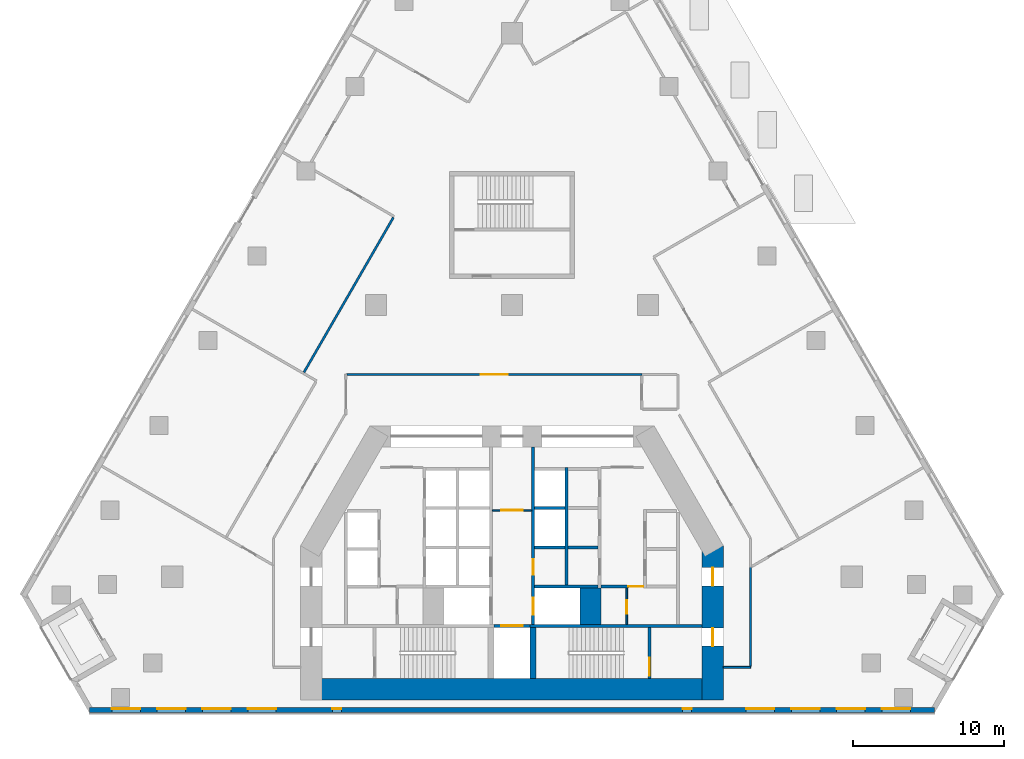
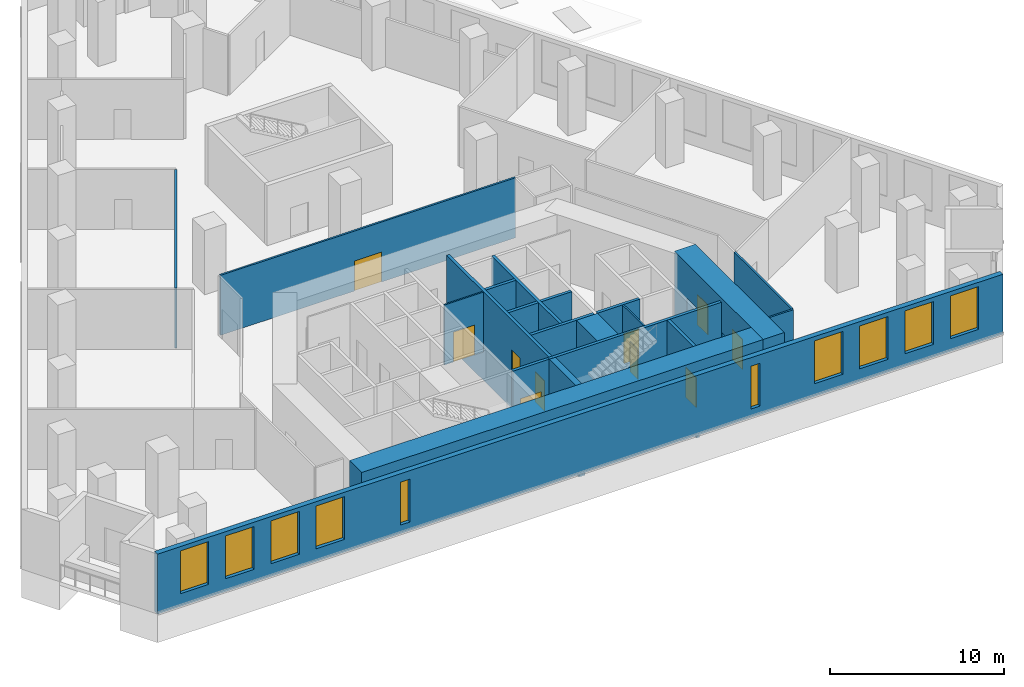
# One storey, part 4 of 13: 21 walls, 10 doors, 10 windows, 20 openings.
"""IFC4 building model written with IfcOpenShell, lengths in metres."""

from ifc_helpers import new_model, si_unit, direction, frame, frame_2d, origin, place, context, subcontext, project, spatial, rectangle, extrude, material, layer, layer_set, type_object, element, fill, save


model = new_model("IFC4")

# Units and contexts
model_context = context("Model", 3, precision=1e-05, world=origin(), true_north=direction((0.0, 1.0)))
body_context = subcontext(model_context, "Body", "Model", "MODEL_VIEW")
ifc_project = project(units=[si_unit("LENGTHUNIT", "METRE"), si_unit("AREAUNIT", "SQUARE_METRE"), si_unit("VOLUMEUNIT", "CUBIC_METRE"), si_unit("PLANEANGLEUNIT", "RADIAN"), si_unit("MASSUNIT", "GRAM", prefix="KILO")], contexts=[model_context])

# Site, building, storey
site_placement = place(None, origin())
site = spatial("IfcSite", under=ifc_project, at=site_placement, CompositionType="ELEMENT")
building_placement = place(site_placement, origin())
building = spatial("IfcBuilding", under=site, at=building_placement, Name="Fogline Exchange Tower", CompositionType="ELEMENT")
storey_placement = place(building_placement, frame((0.0, 0.0, 25.0)))
storey = spatial("IfcBuildingStorey", under=building, at=storey_placement, Name="L04", CompositionType="ELEMENT", Elevation=25.0)

# Wall, opening, door
ifc_material_1 = material(Name="Blockwork partition", Category="masonry")
ifc_layer_1 = layer(ifc_material_1, 0.10009765625)
ifc_layer_set_1 = layer_set([ifc_layer_1], Name="CW10")
wall_type_1 = type_object("IfcWallType", Name="CW10", PredefinedType="PARTITIONING", material=ifc_layer_set_1)
wall_1_placement = place(storey_placement, frame((7.60009765625, 5.85009765625, 0.0), z_axis=(0.0, 0.0, 1.0), x_axis=(0.0, 1.0, 0.0)))
wall_1 = element("IfcWall", 1, at=wall_1_placement, inside=storey, type_object=wall_type_1, Name="WC partition", PredefinedType="PARTITIONING", context=body_context, shape_type="SweptSolid", body=[
    extrude(rectangle(XDim=2.39990234375, YDim=0.10009765625, at=frame_2d((1.199951171875, 0.0))), origin(), (0.0, 0.0, 1.0), 4.199951171875),
])
opening_1_placement = place(wall_1_placement, frame((0.699951171875, 0.0, 0.0)))
opening_1 = element("IfcOpeningElement", 2, at=opening_1_placement, cuts=wall_1, Name="Opening T00-C015", PredefinedType="OPENING", context=body_context, shape_type="SweptSolid", body=[
    extrude(rectangle(XDim=0.89990234375, YDim=2.10009765625, at=frame_2d((0.449951171875, 1.050048828125))), frame((0.0, 0.06005859375, 0.0), z_axis=(0.0, -1.0, 0.0), x_axis=(1.0, 0.0, 0.0)), (0.0, 0.0, 1.0), 0.1201171875),
])
ifc_material_2 = material(Name="Steel and timber fire door", Category="steel")
door_type_1 = type_object("IfcDoorType", Name="D-CS1", OperationType="SINGLE_SWING_RIGHT", PredefinedType="DOOR", material=ifc_material_2)
door_1_placement = place(opening_1_placement, origin())
door_1 = element("IfcDoor", 3, at=door_1_placement, inside=storey, type_object=door_type_1, Name="Door to Cleaner's Store", OperationType="SINGLE_SWING_LEFT", OverallHeight=2.10009765625, OverallWidth=0.89990234375, PredefinedType="DOOR", context=body_context, shape_type="SweptSolid", body=[
    extrude(rectangle(XDim=0.89990234375, YDim=2.10009765625, at=frame_2d((0.449951171875, 1.050048828125))), frame((0.0, 0.02490234375, 0.0), z_axis=(0.0, -1.0, 0.0), x_axis=(1.0, 0.0, 0.0)), (0.0, 0.0, 1.0), 0.050048828125),
])
fill(opening_1, door_1)

wall_2_placement = place(storey_placement, frame((-1.300048828125, 13.39990234375, 0.0), z_axis=(0.0, 0.0, 1.0), x_axis=(1.0, 0.0, 0.0)))
wall_2 = element("IfcWall", 4, at=wall_2_placement, inside=storey, type_object=wall_type_1, Name="Lift lobby partition", PredefinedType="PARTITIONING", context=body_context, shape_type="SweptSolid", body=[
    extrude(rectangle(XDim=2.60009765625, YDim=0.10009765625, at=frame_2d((1.300048828125, 0.0))), origin(), (0.0, 0.0, 1.0), 4.199951171875),
])
opening_2_placement = place(wall_2_placement, frame((0.60009765625, 0.0, 0.0)))
opening_2 = element("IfcOpeningElement", 5, at=opening_2_placement, cuts=wall_2, Name="Opening T00-C019", PredefinedType="OPENING", context=body_context, shape_type="SweptSolid", body=[
    extrude(rectangle(XDim=1.39990234375, YDim=2.10009765625, at=frame_2d((0.699951171875, 1.050048828125))), frame((0.0, 0.06005859375, 0.0), z_axis=(0.0, -1.0, 0.0), x_axis=(1.0, 0.0, 0.0)), (0.0, 0.0, 1.0), 0.1201171875),
])
door_type_2 = type_object("IfcDoorType", Name="D-LB1", OperationType="DOUBLE_DOOR_SINGLE_SWING", PredefinedType="DOOR", material=ifc_material_2)
door_2_placement = place(opening_2_placement, origin())
door_2 = element("IfcDoor", 6, at=door_2_placement, inside=storey, type_object=door_type_2, Name="Door to firefighting lift lobby", OperationType="DOUBLE_DOOR_SINGLE_SWING", OverallHeight=2.10009765625, OverallWidth=1.39990234375, PredefinedType="DOOR", context=body_context, shape_type="SweptSolid", body=[
    extrude(rectangle(XDim=1.39990234375, YDim=2.10009765625, at=frame_2d((0.699951171875, 1.050048828125))), frame((0.0, 0.02490234375, 0.0), z_axis=(0.0, -1.0, 0.0), x_axis=(1.0, 0.0, 0.0)), (0.0, 0.0, 1.0), 0.050048828125),
])
fill(opening_2, door_2)

# Wall
ifc_material_3 = material(Name="Concrete C60", Category="concrete")
ifc_layer_2 = layer(ifc_material_3, 1.39990234375)
ifc_layer_set_2 = layer_set([ifc_layer_2], Name="CW140")
wall_type_2 = type_object("IfcWallType", Name="CW140", PredefinedType="SOLIDWALL", material=ifc_layer_set_2)
wall_3_placement = place(storey_placement, frame((5.199951171875, 5.85009765625, -2.0), z_axis=(0.0, 0.0, 1.0), x_axis=(0.0, 1.0, 0.0)))
element("IfcWall", 7, at=wall_3_placement, inside=storey, type_object=wall_type_2, Name="Lift shaft block wall", PredefinedType="SOLIDWALL", context=body_context, shape_type="SweptSolid", body=[
    extrude(rectangle(XDim=2.39990234375, YDim=1.39990234375, at=frame_2d((1.199951171875, 0.0))), origin(), (0.0, 0.0, 1.0), 6.199951171875),
])

# Wall, opening, door
ifc_material_4 = material(Name="Concrete C40", Category="concrete")
ifc_layer_3 = layer(ifc_material_4, 0.199951171875)
ifc_layer_set_3 = layer_set([ifc_layer_3], Name="CW20")
wall_type_3 = type_object("IfcWallType", Name="CW20", PredefinedType="SOLIDWALL", material=ifc_layer_set_3)
wall_4_placement = place(storey_placement, frame((5.89990234375, 8.35009765625, 0.0), z_axis=(0.0, 0.0, 1.0), x_axis=(1.0, 0.0, 0.0)))
wall_4 = element("IfcWall", 8, at=wall_4_placement, inside=storey, type_object=wall_type_3, Name="WC wall", PredefinedType="SOLIDWALL", context=body_context, shape_type="SweptSolid", body=[
    extrude(rectangle(XDim=2.800048828125, YDim=0.199951171875, at=frame_2d((1.39990234375, 0.0))), origin(), (0.0, 0.0, 1.0), 4.199951171875),
])
opening_3_placement = place(wall_4_placement, frame((1.800048828125, 0.0, 0.0)))
opening_3 = element("IfcOpeningElement", 9, at=opening_3_placement, cuts=wall_4, Name="Opening T00-C014", PredefinedType="OPENING", context=body_context, shape_type="SweptSolid", body=[
    extrude(rectangle(XDim=1.0, YDim=2.10009765625, at=frame_2d((0.5, 1.050048828125))), frame((0.0, 0.10986328125, 0.0), z_axis=(0.0, -1.0, 0.0), x_axis=(1.0, 0.0, 0.0)), (0.0, 0.0, 1.0), 0.219970703125),
])
door_type_3 = type_object("IfcDoorType", Name="D-WC1", OperationType="SINGLE_SWING_LEFT", PredefinedType="DOOR", material=ifc_material_2)
door_3_placement = place(opening_3_placement, frame((1.0, 0.0, 0.0), z_axis=(0.0, 0.0, 1.0), x_axis=(-1.0, 0.0, 0.0)))
door_3 = element("IfcDoor", 10, at=door_3_placement, inside=storey, type_object=door_type_3, Name="Door to Women's WC", OperationType="SINGLE_SWING_LEFT", OverallHeight=2.10009765625, OverallWidth=1.0, PredefinedType="DOOR", context=body_context, shape_type="SweptSolid", body=[
    extrude(rectangle(XDim=1.0, YDim=2.10009765625, at=frame_2d((0.5, 1.050048828125))), frame((0.0, 0.02490234375, 0.0), z_axis=(0.0, -1.0, 0.0), x_axis=(1.0, 0.0, 0.0)), (0.0, 0.0, 1.0), 0.050048828125),
])
fill(opening_3, door_3)

ifc_layer_4 = layer(ifc_material_4, 0.199951171875)
ifc_layer_set_4 = layer_set([ifc_layer_4], Name="CW20R")
wall_type_4 = type_object("IfcWallType", Name="CW20R", PredefinedType="SOLIDWALL", material=ifc_layer_set_4)
wall_5_placement = place(storey_placement, frame((-1.199951171875, 5.75, -2.0), z_axis=(0.0, 0.0, 1.0), x_axis=(1.0, 0.0, 0.0)))
wall_5 = element("IfcWall", 11, at=wall_5_placement, inside=storey, type_object=wall_type_4, Name="Stair enclosure wall", PredefinedType="SOLIDWALL", context=body_context, shape_type="SweptSolid", body=[
    extrude(rectangle(XDim=2.39990234375, YDim=0.199951171875, at=frame_2d((1.199951171875, 0.0))), origin(), (0.0, 0.0, 1.0), 6.199951171875),
])
opening_4_placement = place(wall_5_placement, frame((0.5, 0.0, 2.0)))
opening_4 = element("IfcOpeningElement", 12, at=opening_4_placement, cuts=wall_5, Name="Opening T00-LD09", PredefinedType="OPENING", context=body_context, shape_type="SweptSolid", body=[
    extrude(rectangle(XDim=1.39990234375, YDim=2.10009765625, at=frame_2d((0.699951171875, 1.050048828125))), frame((0.0, 0.10986328125, 0.0), z_axis=(0.0, -1.0, 0.0), x_axis=(1.0, 0.0, 0.0)), (0.0, 0.0, 1.0), 0.219970703125),
])
door_type_4 = type_object("IfcDoorType", Name="LD3", OperationType="SLIDING_TO_LEFT", PredefinedType="DOOR", material=ifc_material_2)
door_4_placement = place(opening_4_placement, origin())
door_4 = element("IfcDoor", 13, at=door_4_placement, inside=storey, type_object=door_type_4, Name="Landing door GL1", OperationType="SLIDING_TO_LEFT", OverallHeight=2.10009765625, OverallWidth=1.39990234375, PredefinedType="DOOR", context=body_context, shape_type="SweptSolid", body=[
    extrude(rectangle(XDim=1.39990234375, YDim=2.10009765625, at=frame_2d((0.699951171875, 1.050048828125))), frame((0.0, 0.02490234375, 0.0), z_axis=(0.0, -1.0, 0.0), x_axis=(1.0, 0.0, 0.0)), (0.0, 0.0, 1.0), 0.050048828125),
])
fill(opening_4, door_4)

# Wall
wall_6_placement = place(storey_placement, frame((1.199951171875, 5.75, -2.0), z_axis=(0.0, 0.0, 1.0), x_axis=(1.0, 0.0, 0.0)))
element("IfcWall", 14, at=wall_6_placement, inside=storey, type_object=wall_type_4, Name="Stair enclosure wall", PredefinedType="SOLIDWALL", context=body_context, shape_type="SweptSolid", body=[
    extrude(rectangle(XDim=11.400146484375, YDim=0.199951171875, at=frame_2d((5.7001953125, 0.0))), origin(), (0.0, 0.0, 1.0), 6.199951171875),
])

# Wall, opening, door
wall_7_placement = place(storey_placement, frame((9.10009765625, 2.25, -2.0), z_axis=(0.0, 0.0, 1.0), x_axis=(0.0, 1.0, 0.0)))
wall_7 = element("IfcWall", 15, at=wall_7_placement, inside=storey, type_object=wall_type_4, Name="Stair enclosure wall", PredefinedType="SOLIDWALL", context=body_context, shape_type="SweptSolid", body=[
    extrude(rectangle(XDim=3.39990234375, YDim=0.199951171875, at=frame_2d((1.699951171875, 0.0))), origin(), (0.0, 0.0, 1.0), 6.199951171875),
])
opening_5_placement = place(wall_7_placement, frame((0.199951171875, 0.0, 2.0)))
opening_5 = element("IfcOpeningElement", 16, at=opening_5_placement, cuts=wall_7, Name="Opening T00-C017", PredefinedType="OPENING", context=body_context, shape_type="SweptSolid", body=[
    extrude(rectangle(XDim=1.199951171875, YDim=2.10009765625, at=frame_2d((0.60009765625, 1.050048828125))), frame((0.0, 0.10986328125, 0.0), z_axis=(0.0, -1.0, 0.0), x_axis=(1.0, 0.0, 0.0)), (0.0, 0.0, 1.0), 0.219970703125),
])
door_type_5 = type_object("IfcDoorType", Name="D-ST1", OperationType="SINGLE_SWING_LEFT", PredefinedType="DOOR", material=ifc_material_2)
door_5_placement = place(opening_5_placement, origin())
door_5 = element("IfcDoor", 17, at=door_5_placement, inside=storey, type_object=door_type_5, Name="Stair door ST2", OperationType="SINGLE_SWING_LEFT", OverallHeight=2.10009765625, OverallWidth=1.199951171875, PredefinedType="DOOR", context=body_context, shape_type="SweptSolid", body=[
    extrude(rectangle(XDim=1.199951171875, YDim=2.10009765625, at=frame_2d((0.60009765625, 1.050048828125))), frame((0.0, 0.02490234375, 0.0), z_axis=(0.0, -1.0, 0.0), x_axis=(1.0, 0.0, 0.0)), (0.0, 0.0, 1.0), 0.050048828125),
])
fill(opening_5, door_5)

# Wall
ifc_layer_5 = layer(ifc_material_4, 0.199951171875)
ifc_layer_set_5 = layer_set([ifc_layer_5], Name="CW20S")
wall_type_5 = type_object("IfcWallType", Name="CW20S", PredefinedType="SOLIDWALL", material=ifc_layer_set_5)
wall_8_placement = place(storey_placement, frame((3.60009765625, 8.449951171875, -2.0), z_axis=(0.0, 0.0, 1.0), x_axis=(0.0, 1.0, 0.0)))
element("IfcWall", 18, at=wall_8_placement, inside=storey, type_object=wall_type_5, Name="Lift shaft wall", PredefinedType="SOLIDWALL", context=body_context, shape_type="SweptSolid", body=[
    extrude(rectangle(XDim=7.800048828125, YDim=0.199951171875, at=frame_2d((3.89990234375, 0.0))), origin(), (0.0, 0.0, 1.0), 6.199951171875),
])

# Wall, openings, doors
wall_9_placement = place(storey_placement, frame((1.39990234375, 5.85009765625, -2.0), z_axis=(0.0, 0.0, 1.0), x_axis=(0.0, 1.0, 0.0)))
wall_9 = element("IfcWall", 19, at=wall_9_placement, inside=storey, type_object=wall_type_5, Name="Lift lobby wall", PredefinedType="SOLIDWALL", context=body_context, shape_type="SweptSolid", body=[
    extrude(rectangle(XDim=11.75, YDim=0.199951171875, at=frame_2d((5.875, 0.0))), origin(), (0.0, 0.0, 1.0), 6.199951171875),
])
opening_6_placement = place(wall_9_placement, frame((0.64990234375, 0.0, 2.0)))
opening_6 = element("IfcOpeningElement", 20, at=opening_6_placement, cuts=wall_9, Name="Opening T00-LD08", PredefinedType="OPENING", context=body_context, shape_type="SweptSolid", body=[
    extrude(rectangle(XDim=1.10009765625, YDim=2.10009765625, at=frame_2d((0.550048828125, 1.050048828125))), frame((0.0, 0.10986328125, 0.0), z_axis=(0.0, -1.0, 0.0), x_axis=(1.0, 0.0, 0.0)), (0.0, 0.0, 1.0), 0.219970703125),
])
opening_7_placement = place(wall_9_placement, frame((3.300048828125, 0.0, 2.0)))
opening_7 = element("IfcOpeningElement", 21, at=opening_7_placement, cuts=wall_9, Name="Opening T00-C006", PredefinedType="OPENING", context=body_context, shape_type="SweptSolid", body=[
    extrude(rectangle(XDim=1.0, YDim=2.10009765625, at=frame_2d((0.5, 1.050048828125))), frame((0.0, 0.10986328125, 0.0), z_axis=(0.0, -1.0, 0.0), x_axis=(1.0, 0.0, 0.0)), (0.0, 0.0, 1.0), 0.219970703125),
])
door_type_6 = type_object("IfcDoorType", Name="D-RM1", OperationType="SINGLE_SWING_LEFT", PredefinedType="DOOR", material=ifc_material_2)
door_6_placement = place(opening_7_placement, frame((1.0, 0.0, 0.0), z_axis=(0.0, 0.0, 1.0), x_axis=(-1.0, 0.0, 0.0)))
door_6 = element("IfcDoor", 22, at=door_6_placement, inside=storey, type_object=door_type_6, Name="Door to Stationery Store", OperationType="SINGLE_SWING_RIGHT", OverallHeight=2.10009765625, OverallWidth=1.0, PredefinedType="DOOR", context=body_context, shape_type="SweptSolid", body=[
    extrude(rectangle(XDim=1.0, YDim=2.10009765625, at=frame_2d((0.5, 1.050048828125))), frame((0.0, 0.02490234375, 0.0), z_axis=(0.0, -1.0, 0.0), x_axis=(1.0, 0.0, 0.0)), (0.0, 0.0, 1.0), 0.050048828125),
])
fill(opening_7, door_6)
door_type_7 = type_object("IfcDoorType", Name="LD2", OperationType="SLIDING_TO_RIGHT", PredefinedType="DOOR", material=ifc_material_2)
door_7_placement = place(opening_6_placement, origin())
door_7 = element("IfcDoor", 23, at=door_7_placement, inside=storey, type_object=door_type_7, Name="Landing door FF2", OperationType="SLIDING_TO_RIGHT", OverallHeight=2.10009765625, OverallWidth=1.10009765625, PredefinedType="DOOR", context=body_context, shape_type="SweptSolid", body=[
    extrude(rectangle(XDim=1.10009765625, YDim=2.10009765625, at=frame_2d((0.550048828125, 1.050048828125))), frame((0.0, 0.02490234375, 0.0), z_axis=(0.0, -1.0, 0.0), x_axis=(1.0, 0.0, 0.0)), (0.0, 0.0, 1.0), 0.050048828125),
])
fill(opening_6, door_7)

# Walls
wall_10_placement = place(storey_placement, frame((1.5, 8.35009765625, -2.0), z_axis=(0.0, 0.0, 1.0), x_axis=(1.0, 0.0, 0.0)))
element("IfcWall", 24, at=wall_10_placement, inside=storey, type_object=wall_type_5, Name="Lift shaft wall", PredefinedType="SOLIDWALL", context=body_context, shape_type="SweptSolid", body=[
    extrude(rectangle(XDim=4.199951171875, YDim=0.199951171875, at=frame_2d((2.10009765625, 0.0))), origin(), (0.0, 0.0, 1.0), 6.199951171875),
])
for number, where, z_axis, x_axis, name in (
    (25, (3.699951171875, 10.949951171875, -2.0), (0.0, 0.0, 1.0), (1.0, 0.0, 0.0), "Lift shaft wall"),
    (26, (1.5, 10.949951171875, -2.0), (0.0, 0.0, 1.0), (1.0, 0.0, 0.0), "Lift shaft wall"),
    (27, (1.5, 13.550048828125, -2.0), (0.0, 0.0, 1.0), (1.0, 0.0, 0.0), "Lift shaft wall"),
):
    element("IfcWall", number, at=place(storey_placement, frame(where, z_axis=z_axis, x_axis=x_axis)), inside=storey, type_object=wall_type_5, Name=name, PredefinedType="SOLIDWALL", context=body_context, shape_type="SweptSolid", body=[
        extrude(rectangle(XDim=2.0, YDim=0.199951171875, at=frame_2d((1.0, 0.0))), origin(), (0.0, 0.0, 1.0), 6.199951171875),
    ])
ifc_layer_6 = layer(ifc_material_4, 0.39990234375)
ifc_layer_set_6 = layer_set([ifc_layer_6], Name="CW40R")
wall_type_6 = type_object("IfcWallType", Name="CW40R", PredefinedType="SOLIDWALL", material=ifc_layer_set_6)
wall_11_placement = place(storey_placement, frame((1.39990234375, 2.25, -2.0), z_axis=(0.0, 0.0, 1.0), x_axis=(0.0, 1.0, 0.0)))
element("IfcWall", 28, at=wall_11_placement, inside=storey, type_object=wall_type_6, Name="Stair and lift shaft wall", PredefinedType="SOLIDWALL", context=body_context, shape_type="SweptSolid", body=[
    extrude(rectangle(XDim=3.39990234375, YDim=0.39990234375, at=frame_2d((1.699951171875, 0.0))), origin(), (0.0, 0.0, 1.0), 6.199951171875),
])

# Wall, openings, windows
ifc_material_5 = material(Name="Brick masonry", Category="masonry")
ifc_layer_7 = layer(ifc_material_5, 0.340087890625)
ifc_layer_set_7 = layer_set([ifc_layer_7], Name="FW1")
wall_type_7 = type_object("IfcWallType", Name="FW1", PredefinedType="SOLIDWALL", material=ifc_layer_set_7)
wall_12_placement = place(storey_placement, frame((-28.0, 0.169921875, 0.0), z_axis=(0.0, 0.0, 1.0), x_axis=(1.0, 0.0, 0.0)))
wall_12 = element("IfcWall", 29, at=wall_12_placement, inside=storey, type_object=wall_type_7, Name="Brick wall L04 S", PredefinedType="SOLIDWALL", context=body_context, shape_type="SweptSolid", body=[
    extrude(rectangle(XDim=56.0, YDim=0.340087890625, at=frame_2d((28.0, 0.0))), origin(), (0.0, 0.0, 1.0), 4.199951171875),
])
opening_8_placement = place(wall_12_placement, frame((1.5, 0.0, 0.89990234375)))
opening_8 = element("IfcOpeningElement", 30, at=opening_8_placement, cuts=wall_12, Name="Opening W2", PredefinedType="OPENING", context=body_context, shape_type="SweptSolid", body=[
    extrude(rectangle(XDim=1.885009765625, YDim=3.0, at=frame_2d((0.9423828125, 1.5))), frame((0.0, 0.18017578125, 0.0), z_axis=(0.0, -1.0, 0.0), x_axis=(1.0, 0.0, 0.0)), (0.0, 0.0, 1.0), 0.360107421875),
])
opening_9_placement = place(wall_12_placement, frame((4.5, 0.0, 0.89990234375)))
opening_9 = element("IfcOpeningElement", 31, at=opening_9_placement, cuts=wall_12, Name="Opening W2", PredefinedType="OPENING", context=body_context, shape_type="SweptSolid", body=[
    extrude(rectangle(XDim=1.885009765625, YDim=3.0, at=frame_2d((0.9423828125, 1.5))), frame((0.0, 0.18017578125, 0.0), z_axis=(0.0, -1.0, 0.0), x_axis=(1.0, 0.0, 0.0)), (0.0, 0.0, 1.0), 0.360107421875),
])
opening_10_placement = place(wall_12_placement, frame((7.5, 0.0, 0.89990234375)))
opening_10 = element("IfcOpeningElement", 32, at=opening_10_placement, cuts=wall_12, Name="Opening W2", PredefinedType="OPENING", context=body_context, shape_type="SweptSolid", body=[
    extrude(rectangle(XDim=1.885009765625, YDim=3.0, at=frame_2d((0.9423828125, 1.5))), frame((0.0, 0.18017578125, 0.0), z_axis=(0.0, -1.0, 0.0), x_axis=(1.0, 0.0, 0.0)), (0.0, 0.0, 1.0), 0.360107421875),
])
opening_11_placement = place(wall_12_placement, frame((10.5, 0.0, 0.89990234375)))
opening_11 = element("IfcOpeningElement", 33, at=opening_11_placement, cuts=wall_12, Name="Opening W2", PredefinedType="OPENING", context=body_context, shape_type="SweptSolid", body=[
    extrude(rectangle(XDim=1.885009765625, YDim=3.0, at=frame_2d((0.9423828125, 1.5))), frame((0.0, 0.18017578125, 0.0), z_axis=(0.0, -1.0, 0.0), x_axis=(1.0, 0.0, 0.0)), (0.0, 0.0, 1.0), 0.360107421875),
])
opening_12_placement = place(wall_12_placement, frame((43.5, 0.0, 0.89990234375)))
opening_12 = element("IfcOpeningElement", 34, at=opening_12_placement, cuts=wall_12, Name="Opening W2", PredefinedType="OPENING", context=body_context, shape_type="SweptSolid", body=[
    extrude(rectangle(XDim=1.885009765625, YDim=3.0, at=frame_2d((0.9423828125, 1.5))), frame((0.0, 0.18017578125, 0.0), z_axis=(0.0, -1.0, 0.0), x_axis=(1.0, 0.0, 0.0)), (0.0, 0.0, 1.0), 0.360107421875),
])
opening_13_placement = place(wall_12_placement, frame((46.5, 0.0, 0.89990234375)))
opening_13 = element("IfcOpeningElement", 35, at=opening_13_placement, cuts=wall_12, Name="Opening W2", PredefinedType="OPENING", context=body_context, shape_type="SweptSolid", body=[
    extrude(rectangle(XDim=1.885009765625, YDim=3.0, at=frame_2d((0.9423828125, 1.5))), frame((0.0, 0.18017578125, 0.0), z_axis=(0.0, -1.0, 0.0), x_axis=(1.0, 0.0, 0.0)), (0.0, 0.0, 1.0), 0.360107421875),
])
opening_14_placement = place(wall_12_placement, frame((49.5, 0.0, 0.89990234375)))
opening_14 = element("IfcOpeningElement", 36, at=opening_14_placement, cuts=wall_12, Name="Opening W2", PredefinedType="OPENING", context=body_context, shape_type="SweptSolid", body=[
    extrude(rectangle(XDim=1.885009765625, YDim=3.0, at=frame_2d((0.9423828125, 1.5))), frame((0.0, 0.18017578125, 0.0), z_axis=(0.0, -1.0, 0.0), x_axis=(1.0, 0.0, 0.0)), (0.0, 0.0, 1.0), 0.360107421875),
])
opening_15_placement = place(wall_12_placement, frame((52.5, 0.0, 0.89990234375)))
opening_15 = element("IfcOpeningElement", 37, at=opening_15_placement, cuts=wall_12, Name="Opening W2", PredefinedType="OPENING", context=body_context, shape_type="SweptSolid", body=[
    extrude(rectangle(XDim=1.885009765625, YDim=3.0, at=frame_2d((0.9423828125, 1.5))), frame((0.0, 0.18017578125, 0.0), z_axis=(0.0, -1.0, 0.0), x_axis=(1.0, 0.0, 0.0)), (0.0, 0.0, 1.0), 0.360107421875),
])
opening_16_placement = place(wall_12_placement, frame((16.10009765625, 0.0, 0.60009765625)))
opening_16 = element("IfcOpeningElement", 38, at=opening_16_placement, cuts=wall_12, Name="Opening W5", PredefinedType="OPENING", context=body_context, shape_type="SweptSolid", body=[
    extrude(rectangle(XDim=0.60009765625, YDim=3.0, at=frame_2d((0.300048828125, 1.5))), frame((0.0, 0.18017578125, 0.0), z_axis=(0.0, -1.0, 0.0), x_axis=(1.0, 0.0, 0.0)), (0.0, 0.0, 1.0), 0.360107421875),
])
opening_17_placement = place(wall_12_placement, frame((39.300048828125, 0.0, 0.60009765625)))
opening_17 = element("IfcOpeningElement", 39, at=opening_17_placement, cuts=wall_12, Name="Opening W5", PredefinedType="OPENING", context=body_context, shape_type="SweptSolid", body=[
    extrude(rectangle(XDim=0.60009765625, YDim=3.0, at=frame_2d((0.300048828125, 1.5))), frame((0.0, 0.18017578125, 0.0), z_axis=(0.0, -1.0, 0.0), x_axis=(1.0, 0.0, 0.0)), (0.0, 0.0, 1.0), 0.360107421875),
])
ifc_material_6 = material(Name="Aluminium and glass", Category="aluminium")
window_type_1 = type_object("IfcWindowType", Name="W2", PartitioningType="SINGLE_PANEL", PredefinedType="WINDOW", material=ifc_material_6)
window_1_placement = place(opening_8_placement, origin())
window_1 = element("IfcWindow", 40, at=window_1_placement, inside=storey, type_object=window_type_1, Name="W2 W2", OverallHeight=3.0, OverallWidth=1.885009765625, PartitioningType="SINGLE_PANEL", PredefinedType="WINDOW", context=body_context, shape_type="SweptSolid", body=[
    extrude(rectangle(XDim=1.885009765625, YDim=3.0, at=frame_2d((0.9423828125, 1.5))), frame((0.0, 0.110107421875, 0.0), z_axis=(0.0, -1.0, 0.0), x_axis=(1.0, 0.0, 0.0)), (0.0, 0.0, 1.0), 0.06005859375),
])
fill(opening_8, window_1)
window_2_placement = place(opening_9_placement, origin())
window_2 = element("IfcWindow", 41, at=window_2_placement, inside=storey, type_object=window_type_1, Name="W2 W2", OverallHeight=3.0, OverallWidth=1.885009765625, PartitioningType="SINGLE_PANEL", PredefinedType="WINDOW", context=body_context, shape_type="SweptSolid", body=[
    extrude(rectangle(XDim=1.885009765625, YDim=3.0, at=frame_2d((0.9423828125, 1.5))), frame((0.0, 0.110107421875, 0.0), z_axis=(0.0, -1.0, 0.0), x_axis=(1.0, 0.0, 0.0)), (0.0, 0.0, 1.0), 0.06005859375),
])
fill(opening_9, window_2)
window_3_placement = place(opening_10_placement, origin())
window_3 = element("IfcWindow", 42, at=window_3_placement, inside=storey, type_object=window_type_1, Name="W2 W2", OverallHeight=3.0, OverallWidth=1.885009765625, PartitioningType="SINGLE_PANEL", PredefinedType="WINDOW", context=body_context, shape_type="SweptSolid", body=[
    extrude(rectangle(XDim=1.885009765625, YDim=3.0, at=frame_2d((0.9423828125, 1.5))), frame((0.0, 0.110107421875, 0.0), z_axis=(0.0, -1.0, 0.0), x_axis=(1.0, 0.0, 0.0)), (0.0, 0.0, 1.0), 0.06005859375),
])
fill(opening_10, window_3)
window_4_placement = place(opening_11_placement, origin())
window_4 = element("IfcWindow", 43, at=window_4_placement, inside=storey, type_object=window_type_1, Name="W2 W2", OverallHeight=3.0, OverallWidth=1.885009765625, PartitioningType="SINGLE_PANEL", PredefinedType="WINDOW", context=body_context, shape_type="SweptSolid", body=[
    extrude(rectangle(XDim=1.885009765625, YDim=3.0, at=frame_2d((0.9423828125, 1.5))), frame((0.0, 0.110107421875, 0.0), z_axis=(0.0, -1.0, 0.0), x_axis=(1.0, 0.0, 0.0)), (0.0, 0.0, 1.0), 0.06005859375),
])
fill(opening_11, window_4)
window_5_placement = place(opening_12_placement, origin())
window_5 = element("IfcWindow", 44, at=window_5_placement, inside=storey, type_object=window_type_1, Name="W2 W2", OverallHeight=3.0, OverallWidth=1.885009765625, PartitioningType="SINGLE_PANEL", PredefinedType="WINDOW", context=body_context, shape_type="SweptSolid", body=[
    extrude(rectangle(XDim=1.885009765625, YDim=3.0, at=frame_2d((0.9423828125, 1.5))), frame((0.0, 0.110107421875, 0.0), z_axis=(0.0, -1.0, 0.0), x_axis=(1.0, 0.0, 0.0)), (0.0, 0.0, 1.0), 0.06005859375),
])
fill(opening_12, window_5)
window_6_placement = place(opening_13_placement, origin())
window_6 = element("IfcWindow", 45, at=window_6_placement, inside=storey, type_object=window_type_1, Name="W2 W2", OverallHeight=3.0, OverallWidth=1.885009765625, PartitioningType="SINGLE_PANEL", PredefinedType="WINDOW", context=body_context, shape_type="SweptSolid", body=[
    extrude(rectangle(XDim=1.885009765625, YDim=3.0, at=frame_2d((0.9423828125, 1.5))), frame((0.0, 0.110107421875, 0.0), z_axis=(0.0, -1.0, 0.0), x_axis=(1.0, 0.0, 0.0)), (0.0, 0.0, 1.0), 0.06005859375),
])
fill(opening_13, window_6)
window_7_placement = place(opening_14_placement, origin())
window_7 = element("IfcWindow", 46, at=window_7_placement, inside=storey, type_object=window_type_1, Name="W2 W2", OverallHeight=3.0, OverallWidth=1.885009765625, PartitioningType="SINGLE_PANEL", PredefinedType="WINDOW", context=body_context, shape_type="SweptSolid", body=[
    extrude(rectangle(XDim=1.885009765625, YDim=3.0, at=frame_2d((0.9423828125, 1.5))), frame((0.0, 0.110107421875, 0.0), z_axis=(0.0, -1.0, 0.0), x_axis=(1.0, 0.0, 0.0)), (0.0, 0.0, 1.0), 0.06005859375),
])
fill(opening_14, window_7)
window_8_placement = place(opening_15_placement, origin())
window_8 = element("IfcWindow", 47, at=window_8_placement, inside=storey, type_object=window_type_1, Name="W2 W2", OverallHeight=3.0, OverallWidth=1.885009765625, PartitioningType="SINGLE_PANEL", PredefinedType="WINDOW", context=body_context, shape_type="SweptSolid", body=[
    extrude(rectangle(XDim=1.885009765625, YDim=3.0, at=frame_2d((0.9423828125, 1.5))), frame((0.0, 0.110107421875, 0.0), z_axis=(0.0, -1.0, 0.0), x_axis=(1.0, 0.0, 0.0)), (0.0, 0.0, 1.0), 0.06005859375),
])
fill(opening_15, window_8)
window_type_2 = type_object("IfcWindowType", Name="W5", PartitioningType="SINGLE_PANEL", PredefinedType="WINDOW", material=ifc_material_6)
window_9_placement = place(opening_16_placement, origin())
window_9 = element("IfcWindow", 48, at=window_9_placement, inside=storey, type_object=window_type_2, Name="W5 W5", OverallHeight=3.0, OverallWidth=0.60009765625, PartitioningType="SINGLE_PANEL", PredefinedType="WINDOW", context=body_context, shape_type="SweptSolid", body=[
    extrude(rectangle(XDim=0.60009765625, YDim=3.0, at=frame_2d((0.300048828125, 1.5))), frame((0.0, 0.110107421875, 0.0), z_axis=(0.0, -1.0, 0.0), x_axis=(1.0, 0.0, 0.0)), (0.0, 0.0, 1.0), 0.06005859375),
])
fill(opening_16, window_9)
window_10_placement = place(opening_17_placement, origin())
window_10 = element("IfcWindow", 49, at=window_10_placement, inside=storey, type_object=window_type_2, Name="W5 W5", OverallHeight=3.0, OverallWidth=0.60009765625, PartitioningType="SINGLE_PANEL", PredefinedType="WINDOW", context=body_context, shape_type="SweptSolid", body=[
    extrude(rectangle(XDim=0.60009765625, YDim=3.0, at=frame_2d((0.300048828125, 1.5))), frame((0.0, 0.110107421875, 0.0), z_axis=(0.0, -1.0, 0.0), x_axis=(1.0, 0.0, 0.0)), (0.0, 0.0, 1.0), 0.06005859375),
])
fill(opening_17, window_10)

# Walls
ifc_material_7 = material(Name="Plasterboard corridor partition with mineral wool, 2 layers each side")
ifc_layer_8 = layer(ifc_material_7, 0.125)
ifc_layer_set_8 = layer_set([ifc_layer_8], Name="PW2")
wall_type_8 = type_object("IfcWallType", Name="PW2", PredefinedType="PARTITIONING", material=ifc_layer_set_8)
wall_13_placement = place(storey_placement, frame((15.800048828125, 9.633056640625, 0.0), z_axis=(0.0, 0.0, 1.0), x_axis=(0.0, -1.0, 0.0)))
element("IfcWall", 50, at=wall_13_placement, inside=storey, type_object=wall_type_8, Name="wall-L04-W003", PredefinedType="PARTITIONING", context=body_context, shape_type="SweptSolid", body=[
    extrude(rectangle(XDim=6.570556640625, YDim=0.125, at=frame_2d((3.28515625, 0.0))), origin(), (0.0, 0.0, 1.0), 4.199951171875),
])
wall_14_placement = place(storey_placement, frame((15.800048828125, 3.0, 0.0), z_axis=(0.0, 0.0, 1.0), x_axis=(-1.0, 0.0, 0.0)))
element("IfcWall", 51, at=wall_14_placement, inside=storey, type_object=wall_type_8, Name="wall-L04-W004", PredefinedType="PARTITIONING", context=body_context, shape_type="SweptSolid", body=[
    extrude(rectangle(XDim=1.800048828125, YDim=0.125, at=frame_2d((0.89990234375, 0.0))), origin(), (0.0, 0.0, 1.0), 4.199951171875),
])

# Wall, opening, door
wall_15_placement = place(storey_placement, frame((-10.9375, 22.39990234375, 0.0), z_axis=(0.0, 0.0, 1.0), x_axis=(1.0, 0.0, 0.0)))
wall_15 = element("IfcWall", 52, at=wall_15_placement, inside=storey, type_object=wall_type_8, Name="wall-L04-W006", PredefinedType="PARTITIONING", context=body_context, shape_type="SweptSolid", body=[
    extrude(rectangle(XDim=19.53759765625, YDim=0.125, at=frame_2d((9.768798828125, 0.0))), origin(), (0.0, 0.0, 1.0), 4.199951171875),
])
opening_18_placement = place(wall_15_placement, frame((8.868896484375, 0.0, 0.0)))
opening_18 = element("IfcOpeningElement", 53, at=opening_18_placement, cuts=wall_15, Name="Opening T00-D003", PredefinedType="OPENING", context=body_context, shape_type="SweptSolid", body=[
    extrude(rectangle(XDim=1.800048828125, YDim=2.10009765625, at=frame_2d((0.89990234375, 1.050048828125))), frame((0.0, 0.072509765625, 0.0), z_axis=(0.0, -1.0, 0.0), x_axis=(1.0, 0.0, 0.0)), (0.0, 0.0, 1.0), 0.14501953125),
])
ifc_material_8 = material(Name="Fire-rated timber door leaves with steel frame", Category="steel")
door_type_8 = type_object("IfcDoorType", Name="D4", OperationType="DOUBLE_DOOR_SINGLE_SWING", PredefinedType="DOOR", material=ifc_material_8)
door_8_placement = place(opening_18_placement, frame((1.800048828125, 0.0, 0.0), z_axis=(0.0, 0.0, 1.0), x_axis=(-1.0, 0.0, 0.0)))
door_8 = element("IfcDoor", 54, at=door_8_placement, inside=storey, type_object=door_type_8, Name="door-L04-D003", OperationType="DOUBLE_DOOR_SINGLE_SWING", OverallHeight=2.10009765625, OverallWidth=1.800048828125, PredefinedType="DOOR", context=body_context, shape_type="SweptSolid", body=[
    extrude(rectangle(XDim=1.800048828125, YDim=2.10009765625, at=frame_2d((0.89990234375, 1.050048828125))), frame((0.0, 0.02490234375, 0.0), z_axis=(0.0, -1.0, 0.0), x_axis=(1.0, 0.0, 0.0)), (0.0, 0.0, 1.0), 0.050048828125),
])
fill(opening_18, door_8)

# Walls
ifc_material_9 = material(Name="Plasterboard demising partition with mineral wool and acoustic board")
ifc_layer_9 = layer(ifc_material_9, 0.14990234375)
ifc_layer_set_9 = layer_set([ifc_layer_9], Name="PW3")
wall_type_9 = type_object("IfcWallType", Name="PW3", PredefinedType="PARTITIONING", material=ifc_layer_set_9)
wall_16_placement = place(storey_placement, frame((-13.778076171875, 22.54150390625, 0.0), z_axis=(0.0, 0.0, 1.0), x_axis=(0.500001258315, 0.866024677295, 0.0)))
element("IfcWall", 55, at=wall_16_placement, inside=storey, type_object=wall_type_9, Name="wall-L04-W031", PredefinedType="PARTITIONING", context=body_context, shape_type="SweptSolid", body=[
    extrude(rectangle(XDim=11.85009765625, YDim=0.14990234375, at=frame_2d((5.925048828125, 0.0))), origin(), (0.0, 0.0, 1.0), 4.199951171875),
])
ifc_layer_10 = layer(ifc_material_3, 1.39990234375)
ifc_layer_set_10 = layer_set([ifc_layer_10], Name="SW01")
wall_type_10 = type_object("IfcWallType", Name="SW01", PredefinedType="SHEAR", material=ifc_layer_set_10)
wall_17_placement = place(storey_placement, frame((-14.0, 1.550048828125, 0.0), z_axis=(0.0, 0.0, 1.0), x_axis=(1.0, 0.0, 0.0)))
element("IfcWall", 56, at=wall_17_placement, inside=storey, type_object=wall_type_10, Name="L04-W901", PredefinedType="SHEAR", context=body_context, shape_type="SweptSolid", body=[
    extrude(rectangle(XDim=28.0, YDim=1.39990234375, at=frame_2d((14.0, 0.0))), origin(), (0.0, 0.0, 1.0), 4.5),
])

# Wall, openings, doors
wall_18_placement = place(storey_placement, frame((13.300048828125, 0.85009765625, 0.0), z_axis=(0.0, 0.0, 1.0), x_axis=(0.0, 1.0, 0.0)))
wall_18 = element("IfcWall", 57, at=wall_18_placement, inside=storey, type_object=wall_type_10, Name="L04-W902", PredefinedType="SHEAR", context=body_context, shape_type="SweptSolid", body=[
    extrude(rectangle(XDim=10.202392578125, YDim=1.39990234375, at=frame_2d((5.10107421875, 0.0))), origin(), (0.0, 0.0, 1.0), 4.5),
])
opening_19_placement = place(wall_18_placement, frame((3.550048828125, 0.0, 0.0)))
opening_19 = element("IfcOpeningElement", 58, at=opening_19_placement, cuts=wall_18, Name="Opening T00-C016", PredefinedType="OPENING", context=body_context, shape_type="SweptSolid", body=[
    extrude(rectangle(XDim=1.199951171875, YDim=2.10009765625, at=frame_2d((0.60009765625, 1.050048828125))), frame((0.0, 0.7099609375, 0.0), z_axis=(0.0, -1.0, 0.0), x_axis=(1.0, 0.0, 0.0)), (0.0, 0.0, 1.0), 1.419921875),
])
opening_20_placement = place(wall_18_placement, frame((7.550048828125, 0.0, 0.0)))
opening_20 = element("IfcOpeningElement", 59, at=opening_20_placement, cuts=wall_18, Name="Opening T00-C018", PredefinedType="OPENING", context=body_context, shape_type="SweptSolid", body=[
    extrude(rectangle(XDim=1.199951171875, YDim=2.10009765625, at=frame_2d((0.60009765625, 1.050048828125))), frame((0.0, 0.7099609375, 0.0), z_axis=(0.0, -1.0, 0.0), x_axis=(1.0, 0.0, 0.0)), (0.0, 0.0, 1.0), 1.419921875),
])
door_type_9 = type_object("IfcDoorType", Name="D-FR1", OperationType="SINGLE_SWING_RIGHT", PredefinedType="DOOR", material=ifc_material_2)
door_9_placement = place(opening_19_placement, origin())
door_9 = element("IfcDoor", 60, at=door_9_placement, inside=storey, type_object=door_type_9, Name="Front room door ST2", OperationType="SINGLE_SWING_RIGHT", OverallHeight=2.10009765625, OverallWidth=1.199951171875, PredefinedType="DOOR", context=body_context, shape_type="SweptSolid", body=[
    extrude(rectangle(XDim=1.199951171875, YDim=2.10009765625, at=frame_2d((0.60009765625, 1.050048828125))), frame((0.0, 0.02490234375, 0.0), z_axis=(0.0, -1.0, 0.0), x_axis=(1.0, 0.0, 0.0)), (0.0, 0.0, 1.0), 0.050048828125),
])
fill(opening_19, door_9)
door_type_10 = type_object("IfcDoorType", Name="D-SV1", OperationType="SINGLE_SWING_LEFT", PredefinedType="DOOR", material=ifc_material_2)
door_10_placement = place(opening_20_placement, origin())
door_10 = element("IfcDoor", 61, at=door_10_placement, inside=storey, type_object=door_type_10, Name="Service door E", OperationType="SINGLE_SWING_RIGHT", OverallHeight=2.10009765625, OverallWidth=1.199951171875, PredefinedType="DOOR", context=body_context, shape_type="SweptSolid", body=[
    extrude(rectangle(XDim=1.199951171875, YDim=2.10009765625, at=frame_2d((0.60009765625, 1.050048828125))), frame((0.0, 0.02490234375, 0.0), z_axis=(0.0, -1.0, 0.0), x_axis=(1.0, 0.0, 0.0)), (0.0, 0.0, 1.0), 0.050048828125),
])
fill(opening_20, door_10)

save(model, "model.ifc")
